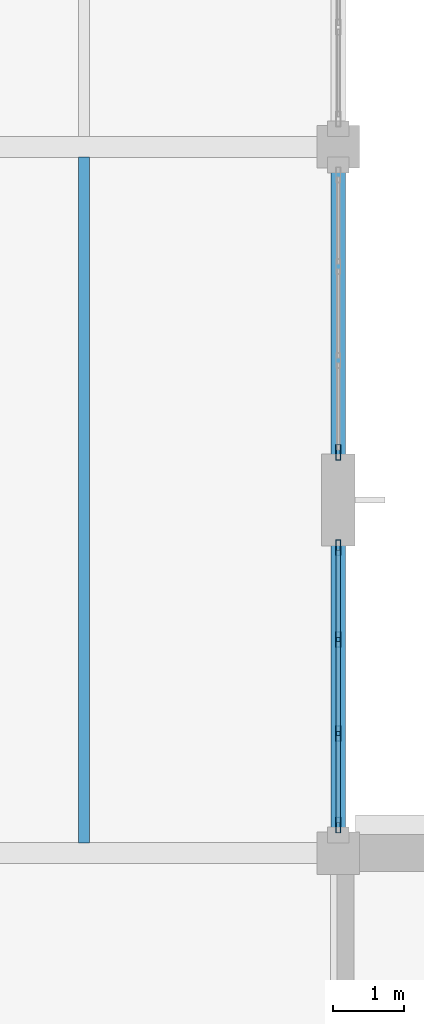
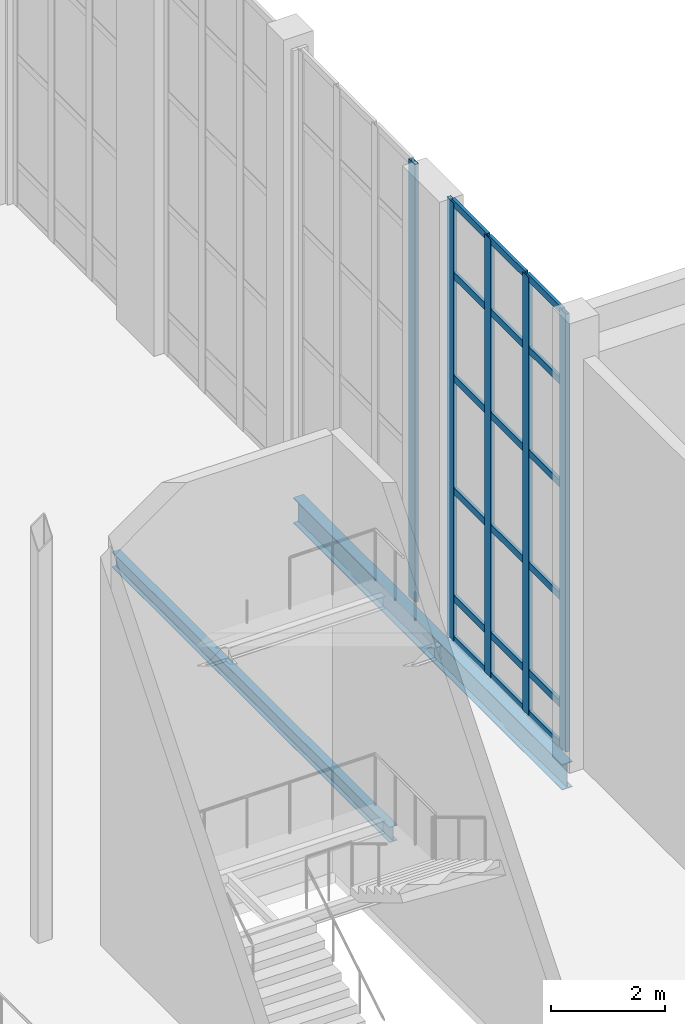
# One storey, part 40 of 100: 23 members, 2 beams, 2 elements without a shape of their own.
"""IFC4 building model written with IfcOpenShell, lengths in metres."""

from ifc_helpers import new_model, si_unit, direction, frame, origin, origin_2d, place, context, subcontext, project, spatial, hollow_rectangle, i_section, extrude, material, layer, layer_set, material_profile, profile_set, type_object, element, aggregate, save


model = new_model("IFC4")

# Units and contexts
model_context = context("Model", 3, precision=1e-05, world=origin(), true_north=direction((0.0, 1.0)))
body_context = subcontext(model_context, "Body", "Model", "MODEL_VIEW")
ifc_project = project(units=[si_unit("LENGTHUNIT", "METRE"), si_unit("AREAUNIT", "SQUARE_METRE"), si_unit("VOLUMEUNIT", "CUBIC_METRE"), si_unit("PLANEANGLEUNIT", "RADIAN"), si_unit("MASSUNIT", "GRAM", prefix="KILO")], contexts=[model_context])

# Site, building, storey
site_placement = place(None, origin())
site = spatial("IfcSite", under=ifc_project, at=site_placement, CompositionType="ELEMENT")
building_placement = place(site_placement, origin())
building = spatial("IfcBuilding", under=site, at=building_placement, Name="Tasgan Crest Museum", CompositionType="ELEMENT")
storey_placement = place(building_placement, frame((0.0, 0.0, 14.39990234375)))
storey = spatial("IfcBuildingStorey", under=building, at=storey_placement, Name="L03", CompositionType="ELEMENT", Elevation=14.39990234375)

# Beams
ifc_material_1 = material(Name="Steel S355J2", Category="steel")
ifc_material_profile_1 = material_profile(ifc_material_1, i_section(OverallWidth=0.2099609375, OverallDepth=0.550048828125, WebThickness=0.010986328125, FlangeThickness=0.01708984375, FilletRadius=0.02392578125, at=origin_2d()), Name="IPE 550")
ifc_profile_set_1 = profile_set([ifc_material_profile_1], Name="Steel S355J2")
beam_type_1 = type_object("IfcBeamType", Name="BM-G-IPE550", PredefinedType="BEAM", material=ifc_profile_set_1)
beam_1_placement = place(storey_placement, frame((108.0, 62.294921875, -0.514892578125), z_axis=(0.0, 1.0, 0.0), x_axis=(-1.0, 0.0, 0.0)))
element("IfcBeam", 1, at=beam_1_placement, inside=storey, type_object=beam_type_1, Name="Beam L03 11 62.0-72.0", PredefinedType="BEAM", context=body_context, shape_type="SweptSolid", body=[
    extrude(i_section(OverallWidth=0.2099609375, OverallDepth=0.550048828125, WebThickness=0.010986328125, FlangeThickness=0.01708984375, FilletRadius=0.02392578125, at=origin_2d()), origin(), (0.0, 0.0, 1.0), 9.41015625),
])
ifc_material_2 = material(Name="Steel S355J2", Category="steel")
ifc_material_profile_2 = material_profile(ifc_material_2, i_section(OverallWidth=0.159912109375, OverallDepth=0.330078125, WebThickness=0.007568359375, FlangeThickness=0.011474609375, FilletRadius=0.01806640625, at=origin_2d()), Name="IPE 330")
ifc_profile_set_2 = profile_set([ifc_material_profile_2], Name="Steel S355J2")
beam_type_2 = type_object("IfcBeamType", Name="BM-J-IPE330", PredefinedType="JOIST", material=ifc_profile_set_2)
beam_2_placement = place(storey_placement, frame((104.39990234375, 62.14501953125, -0.40478515625), z_axis=(0.0, 1.0, 0.0), x_axis=(-1.0, 0.0, 0.0)))
element("IfcBeam", 2, at=beam_2_placement, inside=storey, type_object=beam_type_2, Name="Secondary joist L03 X=104.4 Y=62.0-72.0", PredefinedType="JOIST", context=body_context, shape_type="SweptSolid", body=[
    extrude(i_section(OverallWidth=0.159912109375, OverallDepth=0.330078125, WebThickness=0.007568359375, FlangeThickness=0.011474609375, FilletRadius=0.01806640625, at=origin_2d()), origin(), (0.0, 0.0, 1.0), 9.7099609375),
])

# Curtain wall, members
ifc_material_3 = material(Name="Triple-Glazed Aluminium Curtain Wall", Category="aluminium")
ifc_layer = layer(ifc_material_3, 0.179931640625, Name="CW-DRUM-Y10-96")
ifc_layer_set = layer_set([ifc_layer], Name="Triple-Glazed Aluminium Curtain Wall")
curtain_wall_type = type_object("IfcCurtainWallType", Name="CW-DRUM-Y10-96", PredefinedType="NOTDEFINED", material=ifc_layer_set)
curtain_wall_1_placement = place(storey_placement, origin())
curtain_wall_1 = element("IfcCurtainWall", 3, at=curtain_wall_1_placement, inside=storey, type_object=curtain_wall_type, Name="Curtain wall L03 119", PredefinedType="NOTDEFINED")
ifc_material_4 = material(Name="Anodised Aluminium", Category="aluminium")
ifc_material_profile_3 = material_profile(ifc_material_4, hollow_rectangle(XDim=0.074951171875, YDim=0.219970703125, WallThickness=0.006103515625, at=origin_2d()), Name="ALU MULLION 220x75x6")
ifc_profile_set_3 = profile_set([ifc_material_profile_3], Name="Anodised Aluminium")
member_type_1 = type_object("IfcMemberType", Name="CW-MULLION-220", PredefinedType="MULLION", material=ifc_profile_set_3)
member_1_placement = place(storey_placement, frame((108.0, 62.39501953125, 0.0), z_axis=(0.0, 0.0, 1.0), x_axis=(-1.0, 0.0, 0.0)))
member_1 = element("IfcMember", 4, at=member_1_placement, type_object=member_type_1, Name="CW07 mullion 1", PredefinedType="MULLION", context=body_context, shape_type="SweptSolid", body=[
    extrude(hollow_rectangle(XDim=0.074951171875, YDim=0.219970703125, WallThickness=0.006103515625, at=origin_2d()), origin(), (0.0, 0.0, 1.0), 9.360107421875),
])
member_2_placement = place(storey_placement, frame((108.0, 63.695068359375, 0.0), z_axis=(0.0, 0.0, 1.0), x_axis=(-1.0, 0.0, 0.0)))
member_2 = element("IfcMember", 5, at=member_2_placement, type_object=member_type_1, Name="CW07 mullion 2", PredefinedType="MULLION", context=body_context, shape_type="SweptSolid", body=[
    extrude(hollow_rectangle(XDim=0.074951171875, YDim=0.219970703125, WallThickness=0.006103515625, at=origin_2d()), origin(), (0.0, 0.0, 1.0), 9.360107421875),
])
member_3_placement = place(storey_placement, frame((108.0, 65.02490234375, 0.0), z_axis=(0.0, 0.0, 1.0), x_axis=(-1.0, 0.0, 0.0)))
member_3 = element("IfcMember", 6, at=member_3_placement, type_object=member_type_1, Name="CW07 mullion 3", PredefinedType="MULLION", context=body_context, shape_type="SweptSolid", body=[
    extrude(hollow_rectangle(XDim=0.074951171875, YDim=0.219970703125, WallThickness=0.006103515625, at=origin_2d()), origin(), (0.0, 0.0, 1.0), 9.360107421875),
])
member_4_placement = place(storey_placement, frame((108.0, 66.324951171875, 0.0), z_axis=(0.0, 0.0, 1.0), x_axis=(-1.0, 0.0, 0.0)))
member_4 = element("IfcMember", 7, at=member_4_placement, type_object=member_type_1, Name="CW07 mullion 4", PredefinedType="MULLION", context=body_context, shape_type="SweptSolid", body=[
    extrude(hollow_rectangle(XDim=0.074951171875, YDim=0.219970703125, WallThickness=0.006103515625, at=origin_2d()), origin(), (0.0, 0.0, 1.0), 9.360107421875),
])

# Curtain wall, member
curtain_wall_2_placement = place(storey_placement, origin())
curtain_wall_2 = element("IfcCurtainWall", 8, at=curtain_wall_2_placement, inside=storey, type_object=curtain_wall_type, Name="Curtain wall L03 120", PredefinedType="NOTDEFINED")
member_5_placement = place(storey_placement, frame((108.0, 67.675048828125, 0.0), z_axis=(0.0, 0.0, 1.0), x_axis=(-1.0, 0.0, 0.0)))
member_5 = element("IfcMember", 9, at=member_5_placement, type_object=member_type_1, Name="CW07 mullion 1", PredefinedType="MULLION", context=body_context, shape_type="SweptSolid", body=[
    extrude(hollow_rectangle(XDim=0.074951171875, YDim=0.219970703125, WallThickness=0.006103515625, at=origin_2d()), origin(), (0.0, 0.0, 1.0), 9.360107421875),
])
aggregate(curtain_wall_2, [member_5])

# Member
ifc_material_5 = material(Name="Anodised Aluminium", Category="aluminium")
ifc_material_profile_4 = material_profile(ifc_material_5, hollow_rectangle(XDim=0.06005859375, YDim=0.14990234375, WallThickness=0.0048828125, at=origin_2d()), Name="ALU TRANSOM 150x60x5")
ifc_profile_set_4 = profile_set([ifc_material_profile_4], Name="Anodised Aluminium")
member_type_2 = type_object("IfcMemberType", Name="CW-TRANSOM-150", PredefinedType="USERDEFINED", material=ifc_profile_set_4)
member_6_placement = place(storey_placement, frame((108.0, 62.425048828125, 0.030029296875), z_axis=(0.0, 1.0, 0.0), x_axis=(-1.0, 0.0, 0.0)))
member_6 = element("IfcMember", 10, at=member_6_placement, type_object=member_type_2, Name="CW07 transom 1.1", ObjectType="TRANSOM", PredefinedType="USERDEFINED", context=body_context, shape_type="SweptSolid", body=[
    extrude(hollow_rectangle(XDim=0.06005859375, YDim=0.14990234375, WallThickness=0.0048828125, at=origin_2d()), origin(), (0.0, 0.0, 1.0), 1.239990234375),
])

member_7_placement = place(storey_placement, frame((108.0, 62.425048828125, 0.900146484375), z_axis=(0.0, 1.0, 0.0), x_axis=(-1.0, 0.0, 0.0)))
member_7 = element("IfcMember", 11, at=member_7_placement, type_object=member_type_2, Name="CW07 transom 1.2", ObjectType="TRANSOM", PredefinedType="USERDEFINED", context=body_context, shape_type="SweptSolid", body=[
    extrude(hollow_rectangle(XDim=0.06005859375, YDim=0.14990234375, WallThickness=0.0048828125, at=origin_2d()), origin(), (0.0, 0.0, 1.0), 1.239990234375),
])

member_8_placement = place(storey_placement, frame((108.0, 62.425048828125, 3.2001953125), z_axis=(0.0, 1.0, 0.0), x_axis=(-1.0, 0.0, 0.0)))
member_8 = element("IfcMember", 12, at=member_8_placement, type_object=member_type_2, Name="CW07 transom 1.3", ObjectType="TRANSOM", PredefinedType="USERDEFINED", context=body_context, shape_type="SweptSolid", body=[
    extrude(hollow_rectangle(XDim=0.06005859375, YDim=0.14990234375, WallThickness=0.0048828125, at=origin_2d()), origin(), (0.0, 0.0, 1.0), 1.239990234375),
])

member_9_placement = place(storey_placement, frame((108.0, 62.425048828125, 5.60009765625), z_axis=(0.0, 1.0, 0.0), x_axis=(-1.0, 0.0, 0.0)))
member_9 = element("IfcMember", 13, at=member_9_placement, type_object=member_type_2, Name="CW07 transom 1.4", ObjectType="TRANSOM", PredefinedType="USERDEFINED", context=body_context, shape_type="SweptSolid", body=[
    extrude(hollow_rectangle(XDim=0.06005859375, YDim=0.14990234375, WallThickness=0.0048828125, at=origin_2d()), origin(), (0.0, 0.0, 1.0), 1.239990234375),
])

member_10_placement = place(storey_placement, frame((108.0, 62.425048828125, 7.800048828125), z_axis=(0.0, 1.0, 0.0), x_axis=(-1.0, 0.0, 0.0)))
member_10 = element("IfcMember", 14, at=member_10_placement, type_object=member_type_2, Name="CW07 transom 1.5", ObjectType="TRANSOM", PredefinedType="USERDEFINED", context=body_context, shape_type="SweptSolid", body=[
    extrude(hollow_rectangle(XDim=0.06005859375, YDim=0.14990234375, WallThickness=0.0048828125, at=origin_2d()), origin(), (0.0, 0.0, 1.0), 1.239990234375),
])

member_11_placement = place(storey_placement, frame((108.0, 62.425048828125, 9.330078125), z_axis=(0.0, 1.0, 0.0), x_axis=(-1.0, 0.0, 0.0)))
member_11 = element("IfcMember", 15, at=member_11_placement, type_object=member_type_2, Name="CW07 transom 1.6", ObjectType="TRANSOM", PredefinedType="USERDEFINED", context=body_context, shape_type="SweptSolid", body=[
    extrude(hollow_rectangle(XDim=0.06005859375, YDim=0.14990234375, WallThickness=0.0048828125, at=origin_2d()), origin(), (0.0, 0.0, 1.0), 1.239990234375),
])

member_12_placement = place(storey_placement, frame((108.0, 63.72509765625, 0.030029296875), z_axis=(0.0, 1.0, 0.0), x_axis=(-1.0, 0.0, 0.0)))
member_12 = element("IfcMember", 16, at=member_12_placement, type_object=member_type_2, Name="CW07 transom 2.1", ObjectType="TRANSOM", PredefinedType="USERDEFINED", context=body_context, shape_type="SweptSolid", body=[
    extrude(hollow_rectangle(XDim=0.06005859375, YDim=0.14990234375, WallThickness=0.0048828125, at=origin_2d()), origin(), (0.0, 0.0, 1.0), 1.27001953125),
])

member_13_placement = place(storey_placement, frame((108.0, 63.72509765625, 0.900146484375), z_axis=(0.0, 1.0, 0.0), x_axis=(-1.0, 0.0, 0.0)))
member_13 = element("IfcMember", 17, at=member_13_placement, type_object=member_type_2, Name="CW07 transom 2.2", ObjectType="TRANSOM", PredefinedType="USERDEFINED", context=body_context, shape_type="SweptSolid", body=[
    extrude(hollow_rectangle(XDim=0.06005859375, YDim=0.14990234375, WallThickness=0.0048828125, at=origin_2d()), origin(), (0.0, 0.0, 1.0), 1.27001953125),
])

member_14_placement = place(storey_placement, frame((108.0, 63.72509765625, 3.2001953125), z_axis=(0.0, 1.0, 0.0), x_axis=(-1.0, 0.0, 0.0)))
member_14 = element("IfcMember", 18, at=member_14_placement, type_object=member_type_2, Name="CW07 transom 2.3", ObjectType="TRANSOM", PredefinedType="USERDEFINED", context=body_context, shape_type="SweptSolid", body=[
    extrude(hollow_rectangle(XDim=0.06005859375, YDim=0.14990234375, WallThickness=0.0048828125, at=origin_2d()), origin(), (0.0, 0.0, 1.0), 1.27001953125),
])

member_15_placement = place(storey_placement, frame((108.0, 63.72509765625, 5.60009765625), z_axis=(0.0, 1.0, 0.0), x_axis=(-1.0, 0.0, 0.0)))
member_15 = element("IfcMember", 19, at=member_15_placement, type_object=member_type_2, Name="CW07 transom 2.4", ObjectType="TRANSOM", PredefinedType="USERDEFINED", context=body_context, shape_type="SweptSolid", body=[
    extrude(hollow_rectangle(XDim=0.06005859375, YDim=0.14990234375, WallThickness=0.0048828125, at=origin_2d()), origin(), (0.0, 0.0, 1.0), 1.27001953125),
])

member_16_placement = place(storey_placement, frame((108.0, 63.72509765625, 7.800048828125), z_axis=(0.0, 1.0, 0.0), x_axis=(-1.0, 0.0, 0.0)))
member_16 = element("IfcMember", 20, at=member_16_placement, type_object=member_type_2, Name="CW07 transom 2.5", ObjectType="TRANSOM", PredefinedType="USERDEFINED", context=body_context, shape_type="SweptSolid", body=[
    extrude(hollow_rectangle(XDim=0.06005859375, YDim=0.14990234375, WallThickness=0.0048828125, at=origin_2d()), origin(), (0.0, 0.0, 1.0), 1.27001953125),
])

member_17_placement = place(storey_placement, frame((108.0, 63.72509765625, 9.330078125), z_axis=(0.0, 1.0, 0.0), x_axis=(-1.0, 0.0, 0.0)))
member_17 = element("IfcMember", 21, at=member_17_placement, type_object=member_type_2, Name="CW07 transom 2.6", ObjectType="TRANSOM", PredefinedType="USERDEFINED", context=body_context, shape_type="SweptSolid", body=[
    extrude(hollow_rectangle(XDim=0.06005859375, YDim=0.14990234375, WallThickness=0.0048828125, at=origin_2d()), origin(), (0.0, 0.0, 1.0), 1.27001953125),
])

member_18_placement = place(storey_placement, frame((108.0, 65.054931640625, 0.030029296875), z_axis=(0.0, 1.0, 0.0), x_axis=(-1.0, 0.0, 0.0)))
member_18 = element("IfcMember", 22, at=member_18_placement, type_object=member_type_2, Name="CW07 transom 3.1", ObjectType="TRANSOM", PredefinedType="USERDEFINED", context=body_context, shape_type="SweptSolid", body=[
    extrude(hollow_rectangle(XDim=0.06005859375, YDim=0.14990234375, WallThickness=0.0048828125, at=origin_2d()), origin(), (0.0, 0.0, 1.0), 1.239990234375),
])

member_19_placement = place(storey_placement, frame((108.0, 65.054931640625, 0.900146484375), z_axis=(0.0, 1.0, 0.0), x_axis=(-1.0, 0.0, 0.0)))
member_19 = element("IfcMember", 23, at=member_19_placement, type_object=member_type_2, Name="CW07 transom 3.2", ObjectType="TRANSOM", PredefinedType="USERDEFINED", context=body_context, shape_type="SweptSolid", body=[
    extrude(hollow_rectangle(XDim=0.06005859375, YDim=0.14990234375, WallThickness=0.0048828125, at=origin_2d()), origin(), (0.0, 0.0, 1.0), 1.239990234375),
])

member_20_placement = place(storey_placement, frame((108.0, 65.054931640625, 3.2001953125), z_axis=(0.0, 1.0, 0.0), x_axis=(-1.0, 0.0, 0.0)))
member_20 = element("IfcMember", 24, at=member_20_placement, type_object=member_type_2, Name="CW07 transom 3.3", ObjectType="TRANSOM", PredefinedType="USERDEFINED", context=body_context, shape_type="SweptSolid", body=[
    extrude(hollow_rectangle(XDim=0.06005859375, YDim=0.14990234375, WallThickness=0.0048828125, at=origin_2d()), origin(), (0.0, 0.0, 1.0), 1.239990234375),
])

member_21_placement = place(storey_placement, frame((108.0, 65.054931640625, 5.60009765625), z_axis=(0.0, 1.0, 0.0), x_axis=(-1.0, 0.0, 0.0)))
member_21 = element("IfcMember", 25, at=member_21_placement, type_object=member_type_2, Name="CW07 transom 3.4", ObjectType="TRANSOM", PredefinedType="USERDEFINED", context=body_context, shape_type="SweptSolid", body=[
    extrude(hollow_rectangle(XDim=0.06005859375, YDim=0.14990234375, WallThickness=0.0048828125, at=origin_2d()), origin(), (0.0, 0.0, 1.0), 1.239990234375),
])

member_22_placement = place(storey_placement, frame((108.0, 65.054931640625, 7.800048828125), z_axis=(0.0, 1.0, 0.0), x_axis=(-1.0, 0.0, 0.0)))
member_22 = element("IfcMember", 26, at=member_22_placement, type_object=member_type_2, Name="CW07 transom 3.5", ObjectType="TRANSOM", PredefinedType="USERDEFINED", context=body_context, shape_type="SweptSolid", body=[
    extrude(hollow_rectangle(XDim=0.06005859375, YDim=0.14990234375, WallThickness=0.0048828125, at=origin_2d()), origin(), (0.0, 0.0, 1.0), 1.239990234375),
])

member_23_placement = place(storey_placement, frame((108.0, 65.054931640625, 9.330078125), z_axis=(0.0, 1.0, 0.0), x_axis=(-1.0, 0.0, 0.0)))
member_23 = element("IfcMember", 27, at=member_23_placement, type_object=member_type_2, Name="CW07 transom 3.6", ObjectType="TRANSOM", PredefinedType="USERDEFINED", context=body_context, shape_type="SweptSolid", body=[
    extrude(hollow_rectangle(XDim=0.06005859375, YDim=0.14990234375, WallThickness=0.0048828125, at=origin_2d()), origin(), (0.0, 0.0, 1.0), 1.239990234375),
])

aggregate(curtain_wall_1, [member_1, member_2, member_3, member_4, member_6, member_7, member_8, member_9, member_10, member_11, member_12, member_13, member_14, member_15, member_16, member_17, member_18, member_19, member_20, member_21, member_22, member_23])

save(model, "model.ifc")
